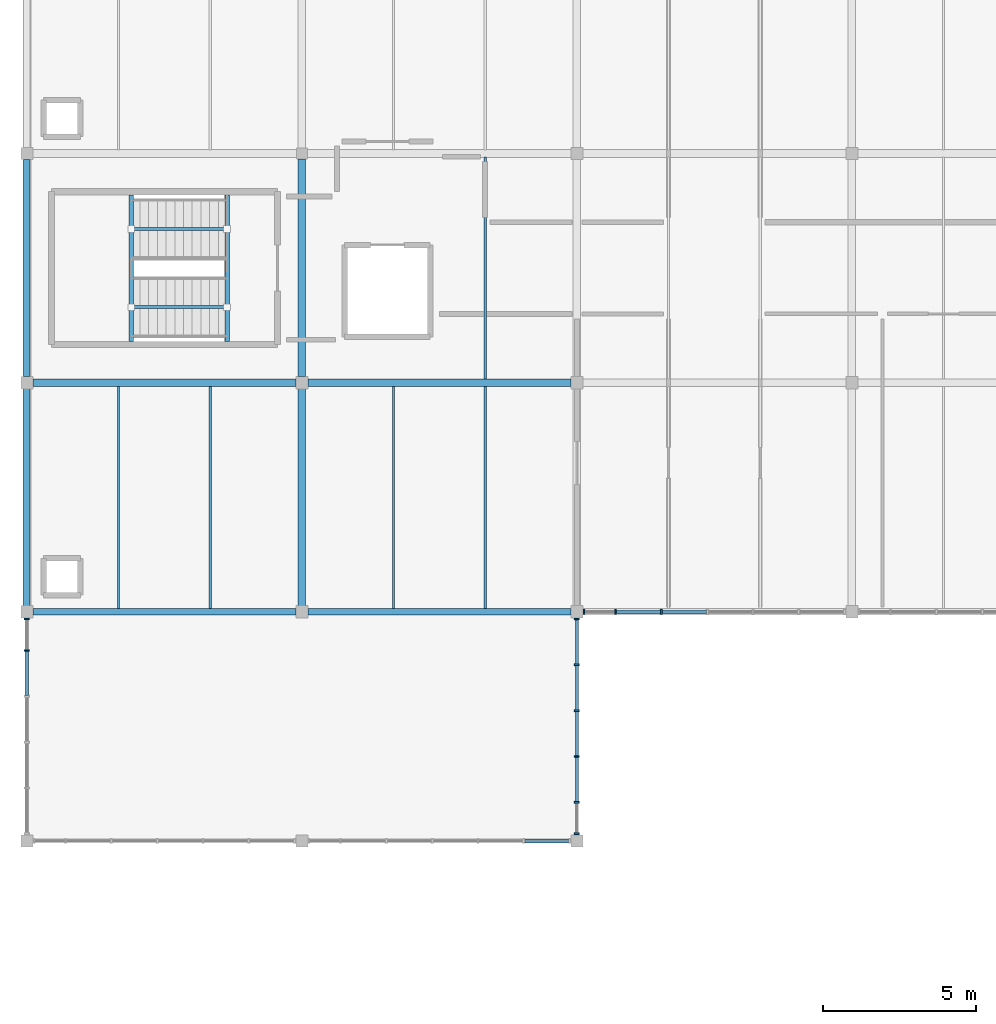
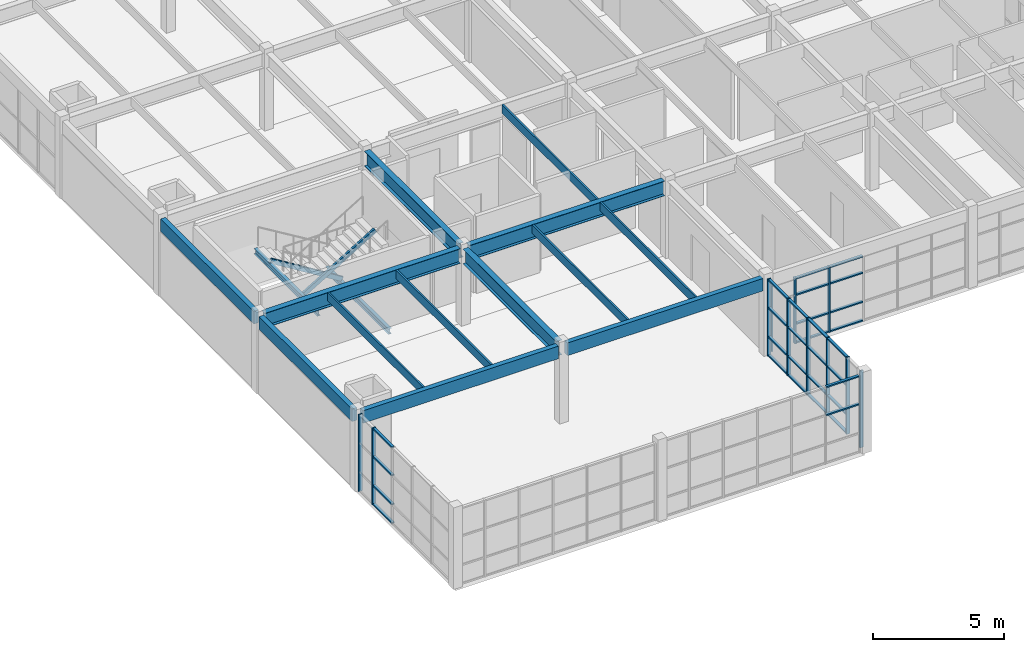
# One storey, part 25 of 81: 43 members, 15 beams, 4 elements without a shape of their own.
"""IFC4 building model written with IfcOpenShell, lengths in metres."""

from ifc_helpers import new_model, si_unit, direction, frame, origin, origin_2d, place, context, subcontext, project, spatial, rectangle, hollow_rectangle, i_section, extrude, material, layer, layer_set, material_profile, profile_set, type_object, element, aggregate, save


model = new_model("IFC4")

# Units and contexts
model_context = context("Model", 3, precision=1e-05, world=origin(), true_north=direction((0.0, 1.0)))
body_context = subcontext(model_context, "Body", "Model", "MODEL_VIEW")
ifc_project = project(units=[si_unit("LENGTHUNIT", "METRE"), si_unit("AREAUNIT", "SQUARE_METRE"), si_unit("VOLUMEUNIT", "CUBIC_METRE"), si_unit("PLANEANGLEUNIT", "RADIAN"), si_unit("MASSUNIT", "GRAM", prefix="KILO")], contexts=[model_context])

# Site, building, storey
site_placement = place(None, origin())
site = spatial("IfcSite", under=ifc_project, at=site_placement, CompositionType="ELEMENT")
building_placement = place(site_placement, origin())
building = spatial("IfcBuilding", under=site, at=building_placement, Name="Marnridge Secondary College", CompositionType="ELEMENT")
storey_placement = place(building_placement, frame((0.0, 0.0, 8.5)))
storey = spatial("IfcBuildingStorey", under=building, at=storey_placement, Name="L02", CompositionType="ELEMENT", Elevation=8.5)

# Beams
ifc_material_1 = material(Name="Glulam timber GL18", Category="wood")
ifc_material_profile_1 = material_profile(ifc_material_1, rectangle(XDim=0.215087890625, YDim=0.5849609375, at=origin_2d()), Name="GL18 215x585")
ifc_profile_set_1 = profile_set([ifc_material_profile_1], Name="Glulam timber GL18")
beam_type_1 = type_object("IfcBeamType", Name="BM-GL585-EXT", PredefinedType="SPANDREL", material=ifc_profile_set_1)
beam_1_placement = place(storey_placement, frame((0.0, 90.194091796875, 3.28759765625), z_axis=(0.0, 1.0, 0.0), x_axis=(-1.0, 0.0, 0.0)))
element("IfcBeam", 1, at=beam_1_placement, inside=storey, type_object=beam_type_1, Name="Beam BS-L02-0859", PredefinedType="SPANDREL", context=body_context, shape_type="SweptSolid", body=[
    extrude(rectangle(XDim=0.215087890625, YDim=0.5849609375, at=origin_2d()), origin(), (0.0, 0.0, 1.0), 7.11181640625),
])
beam_2_placement = place(storey_placement, frame((0.194091796875, 82.5, 3.28759765625), z_axis=(1.0, 0.0, 0.0), x_axis=(0.0, 1.0, 0.0)))
element("IfcBeam", 2, at=beam_2_placement, inside=storey, type_object=beam_type_1, Name="Beam BS-L02-0897", PredefinedType="SPANDREL", context=body_context, shape_type="SweptSolid", body=[
    extrude(rectangle(XDim=0.215087890625, YDim=0.5849609375, at=origin_2d()), origin(), (0.0, 0.0, 1.0), 8.61181640625),
])
beam_3_placement = place(storey_placement, frame((0.0, 82.694091796875, 3.28759765625), z_axis=(0.0, 1.0, 0.0), x_axis=(-1.0, 0.0, 0.0)))
element("IfcBeam", 3, at=beam_3_placement, inside=storey, type_object=beam_type_1, Name="Beam BS-L02-0898", PredefinedType="SPANDREL", context=body_context, shape_type="SweptSolid", body=[
    extrude(rectangle(XDim=0.215087890625, YDim=0.5849609375, at=origin_2d()), origin(), (0.0, 0.0, 1.0), 7.11181640625),
])
beam_4_placement = place(storey_placement, frame((9.194091796875, 82.5, 3.28759765625), z_axis=(1.0, 0.0, 0.0), x_axis=(0.0, 1.0, 0.0)))
element("IfcBeam", 4, at=beam_4_placement, inside=storey, type_object=beam_type_1, Name="Beam BS-L02-0900", PredefinedType="SPANDREL", context=body_context, shape_type="SweptSolid", body=[
    extrude(rectangle(XDim=0.215087890625, YDim=0.5849609375, at=origin_2d()), origin(), (0.0, 0.0, 1.0), 8.61181640625),
])
ifc_material_2 = material(Name="Engineered timber LVL E13.2", Category="wood")
ifc_material_profile_2 = material_profile(ifc_material_2, rectangle(XDim=0.074951171875, YDim=0.39990234375, at=origin_2d()), Name="LVL 75x400")
ifc_profile_set_2 = profile_set([ifc_material_profile_2], Name="Engineered timber LVL E13.2")
beam_type_2 = type_object("IfcBeamType", Name="BM-LVL400-INT", PredefinedType="JOIST", material=ifc_profile_set_2)
beam_5_placement = place(storey_placement, frame((15.0, 90.118896484375, 3.3798828125), z_axis=(0.0, 1.0, 0.0), x_axis=(-1.0, 0.0, 0.0)))
element("IfcBeam", 5, at=beam_5_placement, inside=storey, type_object=beam_type_2, Name="Beam BJ-L02-0912", PredefinedType="JOIST", context=body_context, shape_type="SweptSolid", body=[
    extrude(rectangle(XDim=0.074951171875, YDim=0.39990234375, at=origin_2d()), origin(), (0.0, 0.0, 1.0), 7.26220703125),
])
for number, where, z_axis, x_axis, name in (
    (6, (3.0, 82.6015625, 3.3798828125), (0.0, 1.0, 0.0), (-1.0, 0.0, 0.0), "Beam BJ-L02-0933"),
    (7, (6.0, 82.6015625, 3.3798828125), (0.0, 1.0, 0.0), (-1.0, 0.0, 0.0), "Beam BJ-L02-0934"),
    (8, (12.0, 82.6015625, 3.3798828125), (0.0, 1.0, 0.0), (-1.0, 0.0, 0.0), "Beam BJ-L02-0935"),
    (9, (15.0, 82.6015625, 3.3798828125), (0.0, 1.0, 0.0), (-1.0, 0.0, 0.0), "Beam BJ-L02-0936"),
):
    element("IfcBeam", number, at=place(storey_placement, frame(where, z_axis=z_axis, x_axis=x_axis)), inside=storey, type_object=beam_type_2, Name=name, PredefinedType="JOIST", context=body_context, shape_type="SweptSolid", body=[
        extrude(rectangle(XDim=0.074951171875, YDim=0.39990234375, at=origin_2d()), origin(), (0.0, 0.0, 1.0), 7.279541015625),
    ])
ifc_material_3 = material(Name="Structural steel Grade 350 (AS/NZS 3679.1/.2, fy = 340-360 MPa)", Category="steel")
ifc_material_profile_3 = material_profile(ifc_material_3, i_section(OverallWidth=0.146240234375, OverallDepth=0.256103515625, WebThickness=0.00634765625, FlangeThickness=0.010986328125, FilletRadius=0.0087890625, at=origin_2d()), Name="250UB37.3")
ifc_profile_set_3 = profile_set([ifc_material_profile_3], Name="Structural steel Grade 350 (AS/NZS 3679.1/.2, fy = 340-360 MPa)")
beam_type_3 = type_object("IfcBeamType", Name="BM-UB250-EXT", PredefinedType="LINTEL", material=ifc_profile_set_3)
for number, where, z_axis, x_axis, name in (
    (10, (6.550048828125, 91.342041015625, -0.3681640625), (0.0, 1.0, 0.0), (-1.0, 0.0, 0.0), "Stair landing trimmer beam BT-L02-040"),
    (11, (3.4150390625, 91.342041015625, 1.572021484375), (0.0, 1.0, 0.0), (-1.0, 0.0, 0.0), "Stair landing trimmer beam BT-L02-041"),
):
    element("IfcBeam", number, at=place(storey_placement, frame(where, z_axis=z_axis, x_axis=x_axis)), inside=storey, type_object=beam_type_3, Name=name, PredefinedType="LINTEL", context=body_context, shape_type="SweptSolid", body=[
        extrude(i_section(OverallWidth=0.146240234375, OverallDepth=0.256103515625, WebThickness=0.00634765625, FlangeThickness=0.010986328125, FilletRadius=0.0087890625, at=origin_2d()), origin(), (0.0, 0.0, 1.0), 4.802978515625),
    ])
ifc_material_4 = material(Name="Structural steel Grade 350 (AS/NZS 3679.1/.2, fy = 340-360 MPa)", Category="steel")
ifc_material_profile_4 = material_profile(ifc_material_4, i_section(OverallWidth=0.25, OverallDepth=0.69189453125, WebThickness=0.009033203125, FlangeThickness=0.01611328125, at=origin_2d()), Name="700WB115")
ifc_profile_set_4 = profile_set([ifc_material_profile_4], Name="Structural steel Grade 350 (AS/NZS 3679.1/.2, fy = 340-360 MPa)")
beam_type_4 = type_object("IfcBeamType", Name="BM-WB700-INT", PredefinedType="BEAM", material=ifc_profile_set_4)
beam_6_placement = place(storey_placement, frame((0.194091796875, 90.0, 3.23388671875), z_axis=(1.0, 0.0, 0.0), x_axis=(0.0, 1.0, 0.0)))
element("IfcBeam", 12, at=beam_6_placement, inside=storey, type_object=beam_type_4, Name="Beam B-L02-0857", PredefinedType="BEAM", context=body_context, shape_type="SweptSolid", body=[
    extrude(i_section(OverallWidth=0.25, OverallDepth=0.69189453125, WebThickness=0.009033203125, FlangeThickness=0.01611328125, at=origin_2d()), origin(), (0.0, 0.0, 1.0), 8.61181640625),
])
beam_7_placement = place(storey_placement, frame((9.0, 90.194091796875, 3.23388671875), z_axis=(0.0, 1.0, 0.0), x_axis=(-1.0, 0.0, 0.0)))
element("IfcBeam", 13, at=beam_7_placement, inside=storey, type_object=beam_type_4, Name="Beam B-L02-0860", PredefinedType="BEAM", context=body_context, shape_type="SweptSolid", body=[
    extrude(i_section(OverallWidth=0.25, OverallDepth=0.69189453125, WebThickness=0.009033203125, FlangeThickness=0.01611328125, at=origin_2d()), origin(), (0.0, 0.0, 1.0), 7.1318359375),
])
beam_8_placement = place(storey_placement, frame((9.194091796875, 90.0, 3.23388671875), z_axis=(1.0, 0.0, 0.0), x_axis=(0.0, 1.0, 0.0)))
element("IfcBeam", 14, at=beam_8_placement, inside=storey, type_object=beam_type_4, Name="Beam B-L02-0870", PredefinedType="BEAM", context=body_context, shape_type="SweptSolid", body=[
    extrude(i_section(OverallWidth=0.25, OverallDepth=0.69189453125, WebThickness=0.009033203125, FlangeThickness=0.01611328125, at=origin_2d()), origin(), (0.0, 0.0, 1.0), 8.61181640625),
])
beam_9_placement = place(storey_placement, frame((9.0, 82.694091796875, 3.23388671875), z_axis=(0.0, 1.0, 0.0), x_axis=(-1.0, 0.0, 0.0)))
element("IfcBeam", 15, at=beam_9_placement, inside=storey, type_object=beam_type_4, Name="Beam B-L02-0899", PredefinedType="BEAM", context=body_context, shape_type="SweptSolid", body=[
    extrude(i_section(OverallWidth=0.25, OverallDepth=0.69189453125, WebThickness=0.009033203125, FlangeThickness=0.01611328125, at=origin_2d()), origin(), (0.0, 0.0, 1.0), 7.11181640625),
])

# Curtain wall, members
ifc_material_5 = material(Name="Thermally broken aluminium and low-E glazing", Category="aluminium")
ifc_layer = layer(ifc_material_5, 0.159912109375)
ifc_layer_set = layer_set([ifc_layer], Name="CW-MOD-1500")
curtain_wall_type = type_object("IfcCurtainWallType", Name="CW-MOD-1500", PredefinedType="NOTDEFINED", material=ifc_layer_set)
curtain_wall_1_placement = place(storey_placement, origin())
curtain_wall_1 = element("IfcCurtainWall", 16, at=curtain_wall_1_placement, inside=storey, type_object=curtain_wall_type, Name="Unitised curtain wall CW-L02-093", PredefinedType="NOTDEFINED")
ifc_material_6 = material(Name="Anodised aluminium 6063-T6", Category="aluminium")
ifc_material_profile_5 = material_profile(ifc_material_6, rectangle(XDim=0.06005859375, YDim=0.159912109375, at=origin_2d()), Name="ALU 60x160")
ifc_profile_set_5 = profile_set([ifc_material_profile_5], Name="Anodised aluminium 6063-T6")
member_type_1 = type_object("IfcMemberType", Name="CWM-ALU160", PredefinedType="MULLION", material=ifc_profile_set_5)
member_1_placement = place(storey_placement, frame((20.76611328125, 82.5, 0.0), z_axis=(0.0, 0.0, 1.0), x_axis=(-1.0, 0.0, 0.0)))
member_1 = element("IfcMember", 17, at=member_1_placement, type_object=member_type_1, Name="CW-L02-093 mullion 5", PredefinedType="MULLION", context=body_context, shape_type="SweptSolid", body=[
    extrude(rectangle(XDim=0.06005859375, YDim=0.159912109375, at=origin_2d()), origin(), (0.0, 0.0, 1.0), 3.047119140625),
])
member_2_placement = place(storey_placement, frame((19.26611328125, 82.5, 0.0), z_axis=(0.0, 0.0, 1.0), x_axis=(-1.0, 0.0, 0.0)))
member_2 = element("IfcMember", 18, at=member_2_placement, type_object=member_type_1, Name="CW-L02-093 mullion 6", PredefinedType="MULLION", context=body_context, shape_type="SweptSolid", body=[
    extrude(rectangle(XDim=0.06005859375, YDim=0.159912109375, at=origin_2d()), origin(), (0.0, 0.0, 1.0), 3.047119140625),
])
member_3_placement = place(storey_placement, frame((18.23388671875, 82.5, 0.0), z_axis=(0.0, 0.0, 1.0), x_axis=(-1.0, 0.0, 0.0)))
member_3 = element("IfcMember", 19, at=member_3_placement, type_object=member_type_1, Name="CW-L02-093 mullion 7", PredefinedType="MULLION", context=body_context, shape_type="SweptSolid", body=[
    extrude(rectangle(XDim=0.06005859375, YDim=0.159912109375, at=origin_2d()), origin(), (0.0, 0.0, 1.0), 3.047119140625),
])

curtain_wall_2_placement = place(storey_placement, origin())
curtain_wall_2 = element("IfcCurtainWall", 20, at=curtain_wall_2_placement, inside=storey, type_object=curtain_wall_type, Name="Unitised curtain wall CW-L02-094", PredefinedType="NOTDEFINED")
member_4_placement = place(storey_placement, frame((18.0, 82.26611328125, 0.0), z_axis=(0.0, 0.0, 1.0), x_axis=(0.0, -1.0, 0.0)))
member_4 = element("IfcMember", 21, at=member_4_placement, type_object=member_type_1, Name="CW-L02-094 mullion 1", PredefinedType="MULLION", context=body_context, shape_type="SweptSolid", body=[
    extrude(rectangle(XDim=0.06005859375, YDim=0.159912109375, at=origin_2d()), origin(), (0.0, 0.0, 1.0), 3.580078125),
])
member_5_placement = place(storey_placement, frame((18.0, 80.76611328125, 0.0), z_axis=(0.0, 0.0, 1.0), x_axis=(0.0, -1.0, 0.0)))
member_5 = element("IfcMember", 22, at=member_5_placement, type_object=member_type_1, Name="CW-L02-094 mullion 2", PredefinedType="MULLION", context=body_context, shape_type="SweptSolid", body=[
    extrude(rectangle(XDim=0.06005859375, YDim=0.159912109375, at=origin_2d()), origin(), (0.0, 0.0, 1.0), 3.580078125),
])
member_6_placement = place(storey_placement, frame((18.0, 79.26611328125, 0.0), z_axis=(0.0, 0.0, 1.0), x_axis=(0.0, -1.0, 0.0)))
member_6 = element("IfcMember", 23, at=member_6_placement, type_object=member_type_1, Name="CW-L02-094 mullion 3", PredefinedType="MULLION", context=body_context, shape_type="SweptSolid", body=[
    extrude(rectangle(XDim=0.06005859375, YDim=0.159912109375, at=origin_2d()), origin(), (0.0, 0.0, 1.0), 3.580078125),
])
member_7_placement = place(storey_placement, frame((18.0, 77.76611328125, 0.0), z_axis=(0.0, 0.0, 1.0), x_axis=(0.0, -1.0, 0.0)))
member_7 = element("IfcMember", 24, at=member_7_placement, type_object=member_type_1, Name="CW-L02-094 mullion 4", PredefinedType="MULLION", context=body_context, shape_type="SweptSolid", body=[
    extrude(rectangle(XDim=0.06005859375, YDim=0.159912109375, at=origin_2d()), origin(), (0.0, 0.0, 1.0), 3.580078125),
])
member_8_placement = place(storey_placement, frame((18.0, 76.26611328125, 0.0), z_axis=(0.0, 0.0, 1.0), x_axis=(0.0, -1.0, 0.0)))
member_8 = element("IfcMember", 25, at=member_8_placement, type_object=member_type_1, Name="CW-L02-094 mullion 5", PredefinedType="MULLION", context=body_context, shape_type="SweptSolid", body=[
    extrude(rectangle(XDim=0.06005859375, YDim=0.159912109375, at=origin_2d()), origin(), (0.0, 0.0, 1.0), 3.580078125),
])
member_9_placement = place(storey_placement, frame((18.0, 75.23388671875, 0.0), z_axis=(0.0, 0.0, 1.0), x_axis=(0.0, -1.0, 0.0)))
member_9 = element("IfcMember", 26, at=member_9_placement, type_object=member_type_1, Name="CW-L02-094 mullion 6", PredefinedType="MULLION", context=body_context, shape_type="SweptSolid", body=[
    extrude(rectangle(XDim=0.06005859375, YDim=0.159912109375, at=origin_2d()), origin(), (0.0, 0.0, 1.0), 3.580078125),
])

curtain_wall_3_placement = place(storey_placement, origin())
curtain_wall_3 = element("IfcCurtainWall", 27, at=curtain_wall_3_placement, inside=storey, type_object=curtain_wall_type, Name="Unitised curtain wall CW-L02-097", PredefinedType="NOTDEFINED")
member_10_placement = place(storey_placement, frame((0.0, 81.23388671875, 0.0), z_axis=(0.0, 0.0, 1.0), x_axis=(0.0, 1.0, 0.0)))
member_10 = element("IfcMember", 28, at=member_10_placement, type_object=member_type_1, Name="CW-L02-097 mullion 5", PredefinedType="MULLION", context=body_context, shape_type="SweptSolid", body=[
    extrude(rectangle(XDim=0.06005859375, YDim=0.159912109375, at=origin_2d()), origin(), (0.0, 0.0, 1.0), 3.580078125),
])
member_11_placement = place(storey_placement, frame((0.0, 82.26611328125, 0.0), z_axis=(0.0, 0.0, 1.0), x_axis=(0.0, 1.0, 0.0)))
member_11 = element("IfcMember", 29, at=member_11_placement, type_object=member_type_1, Name="CW-L02-097 mullion 6", PredefinedType="MULLION", context=body_context, shape_type="SweptSolid", body=[
    extrude(rectangle(XDim=0.06005859375, YDim=0.159912109375, at=origin_2d()), origin(), (0.0, 0.0, 1.0), 3.580078125),
])

# Member
ifc_material_7 = material(Name="Anodised aluminium 6063-T6", Category="aluminium")
ifc_material_profile_6 = material_profile(ifc_material_7, rectangle(XDim=0.06005859375, YDim=0.1201171875, at=origin_2d()), Name="ALU 60x120")
ifc_profile_set_6 = profile_set([ifc_material_profile_6], Name="Anodised aluminium 6063-T6")
member_type_2 = type_object("IfcMemberType", Name="CWT-ALU120", PredefinedType="USERDEFINED", material=ifc_profile_set_6)
member_12_placement = place(storey_placement, frame((22.236083984375, 82.5, 0.030029296875), z_axis=(-1.0, 0.0, 0.0), x_axis=(0.0, 0.0, 1.0)))
member_12 = element("IfcMember", 30, at=member_12_placement, type_object=member_type_2, Name="CW-L02-093 transom 4.1", ObjectType="TRANSOM", PredefinedType="USERDEFINED", context=body_context, shape_type="SweptSolid", body=[
    extrude(rectangle(XDim=0.06005859375, YDim=0.1201171875, at=origin_2d()), origin(), (0.0, 0.0, 1.0), 1.440185546875),
])

member_13_placement = place(storey_placement, frame((22.236083984375, 82.5, 0.89990234375), z_axis=(-1.0, 0.0, 0.0), x_axis=(0.0, 0.0, 1.0)))
member_13 = element("IfcMember", 31, at=member_13_placement, type_object=member_type_2, Name="CW-L02-093 transom 4.2", ObjectType="TRANSOM", PredefinedType="USERDEFINED", context=body_context, shape_type="SweptSolid", body=[
    extrude(rectangle(XDim=0.06005859375, YDim=0.1201171875, at=origin_2d()), origin(), (0.0, 0.0, 1.0), 1.440185546875),
])

member_14_placement = place(storey_placement, frame((22.236083984375, 82.5, 2.25), z_axis=(-1.0, 0.0, 0.0), x_axis=(0.0, 0.0, 1.0)))
member_14 = element("IfcMember", 32, at=member_14_placement, type_object=member_type_2, Name="CW-L02-093 transom 4.3", ObjectType="TRANSOM", PredefinedType="USERDEFINED", context=body_context, shape_type="SweptSolid", body=[
    extrude(rectangle(XDim=0.06005859375, YDim=0.1201171875, at=origin_2d()), origin(), (0.0, 0.0, 1.0), 1.440185546875),
])

member_15_placement = place(storey_placement, frame((22.236083984375, 82.5, 3.01708984375), z_axis=(-1.0, 0.0, 0.0), x_axis=(0.0, 0.0, 1.0)))
member_15 = element("IfcMember", 33, at=member_15_placement, type_object=member_type_2, Name="CW-L02-093 transom 4.4", ObjectType="TRANSOM", PredefinedType="USERDEFINED", context=body_context, shape_type="SweptSolid", body=[
    extrude(rectangle(XDim=0.06005859375, YDim=0.1201171875, at=origin_2d()), origin(), (0.0, 0.0, 1.0), 1.440185546875),
])

member_16_placement = place(storey_placement, frame((20.736083984375, 82.5, 0.030029296875), z_axis=(-1.0, 0.0, 0.0), x_axis=(0.0, 0.0, 1.0)))
member_16 = element("IfcMember", 34, at=member_16_placement, type_object=member_type_2, Name="CW-L02-093 transom 5.1", ObjectType="TRANSOM", PredefinedType="USERDEFINED", context=body_context, shape_type="SweptSolid", body=[
    extrude(rectangle(XDim=0.06005859375, YDim=0.1201171875, at=origin_2d()), origin(), (0.0, 0.0, 1.0), 1.440185546875),
])

member_17_placement = place(storey_placement, frame((20.736083984375, 82.5, 0.89990234375), z_axis=(-1.0, 0.0, 0.0), x_axis=(0.0, 0.0, 1.0)))
member_17 = element("IfcMember", 35, at=member_17_placement, type_object=member_type_2, Name="CW-L02-093 transom 5.2", ObjectType="TRANSOM", PredefinedType="USERDEFINED", context=body_context, shape_type="SweptSolid", body=[
    extrude(rectangle(XDim=0.06005859375, YDim=0.1201171875, at=origin_2d()), origin(), (0.0, 0.0, 1.0), 1.440185546875),
])

member_18_placement = place(storey_placement, frame((20.736083984375, 82.5, 2.25), z_axis=(-1.0, 0.0, 0.0), x_axis=(0.0, 0.0, 1.0)))
member_18 = element("IfcMember", 36, at=member_18_placement, type_object=member_type_2, Name="CW-L02-093 transom 5.3", ObjectType="TRANSOM", PredefinedType="USERDEFINED", context=body_context, shape_type="SweptSolid", body=[
    extrude(rectangle(XDim=0.06005859375, YDim=0.1201171875, at=origin_2d()), origin(), (0.0, 0.0, 1.0), 1.440185546875),
])

member_19_placement = place(storey_placement, frame((20.736083984375, 82.5, 3.01708984375), z_axis=(-1.0, 0.0, 0.0), x_axis=(0.0, 0.0, 1.0)))
member_19 = element("IfcMember", 37, at=member_19_placement, type_object=member_type_2, Name="CW-L02-093 transom 5.4", ObjectType="TRANSOM", PredefinedType="USERDEFINED", context=body_context, shape_type="SweptSolid", body=[
    extrude(rectangle(XDim=0.06005859375, YDim=0.1201171875, at=origin_2d()), origin(), (0.0, 0.0, 1.0), 1.440185546875),
])

aggregate(curtain_wall_1, [member_1, member_2, member_3, member_12, member_13, member_14, member_15, member_16, member_17, member_18, member_19])

member_20_placement = place(storey_placement, frame((18.0, 82.236083984375, 0.030029296875), z_axis=(0.0, -1.0, 0.0), x_axis=(0.0, 0.0, 1.0)))
member_20 = element("IfcMember", 38, at=member_20_placement, type_object=member_type_2, Name="CW-L02-094 transom 1.1", ObjectType="TRANSOM", PredefinedType="USERDEFINED", context=body_context, shape_type="SweptSolid", body=[
    extrude(rectangle(XDim=0.06005859375, YDim=0.1201171875, at=origin_2d()), origin(), (0.0, 0.0, 1.0), 1.440185546875),
])

member_21_placement = place(storey_placement, frame((18.0, 82.236083984375, 0.89990234375), z_axis=(0.0, -1.0, 0.0), x_axis=(0.0, 0.0, 1.0)))
member_21 = element("IfcMember", 39, at=member_21_placement, type_object=member_type_2, Name="CW-L02-094 transom 1.2", ObjectType="TRANSOM", PredefinedType="USERDEFINED", context=body_context, shape_type="SweptSolid", body=[
    extrude(rectangle(XDim=0.06005859375, YDim=0.1201171875, at=origin_2d()), origin(), (0.0, 0.0, 1.0), 1.440185546875),
])

member_22_placement = place(storey_placement, frame((18.0, 82.236083984375, 2.25), z_axis=(0.0, -1.0, 0.0), x_axis=(0.0, 0.0, 1.0)))
member_22 = element("IfcMember", 40, at=member_22_placement, type_object=member_type_2, Name="CW-L02-094 transom 1.3", ObjectType="TRANSOM", PredefinedType="USERDEFINED", context=body_context, shape_type="SweptSolid", body=[
    extrude(rectangle(XDim=0.06005859375, YDim=0.1201171875, at=origin_2d()), origin(), (0.0, 0.0, 1.0), 1.440185546875),
])

member_23_placement = place(storey_placement, frame((18.0, 82.236083984375, 3.550048828125), z_axis=(0.0, -1.0, 0.0), x_axis=(0.0, 0.0, 1.0)))
member_23 = element("IfcMember", 41, at=member_23_placement, type_object=member_type_2, Name="CW-L02-094 transom 1.4", ObjectType="TRANSOM", PredefinedType="USERDEFINED", context=body_context, shape_type="SweptSolid", body=[
    extrude(rectangle(XDim=0.06005859375, YDim=0.1201171875, at=origin_2d()), origin(), (0.0, 0.0, 1.0), 1.440185546875),
])

member_24_placement = place(storey_placement, frame((18.0, 80.736083984375, 0.030029296875), z_axis=(0.0, -1.0, 0.0), x_axis=(0.0, 0.0, 1.0)))
member_24 = element("IfcMember", 42, at=member_24_placement, type_object=member_type_2, Name="CW-L02-094 transom 2.1", ObjectType="TRANSOM", PredefinedType="USERDEFINED", context=body_context, shape_type="SweptSolid", body=[
    extrude(rectangle(XDim=0.06005859375, YDim=0.1201171875, at=origin_2d()), origin(), (0.0, 0.0, 1.0), 1.440185546875),
])

member_25_placement = place(storey_placement, frame((18.0, 80.736083984375, 0.89990234375), z_axis=(0.0, -1.0, 0.0), x_axis=(0.0, 0.0, 1.0)))
member_25 = element("IfcMember", 43, at=member_25_placement, type_object=member_type_2, Name="CW-L02-094 transom 2.2", ObjectType="TRANSOM", PredefinedType="USERDEFINED", context=body_context, shape_type="SweptSolid", body=[
    extrude(rectangle(XDim=0.06005859375, YDim=0.1201171875, at=origin_2d()), origin(), (0.0, 0.0, 1.0), 1.440185546875),
])

member_26_placement = place(storey_placement, frame((18.0, 80.736083984375, 2.25), z_axis=(0.0, -1.0, 0.0), x_axis=(0.0, 0.0, 1.0)))
member_26 = element("IfcMember", 44, at=member_26_placement, type_object=member_type_2, Name="CW-L02-094 transom 2.3", ObjectType="TRANSOM", PredefinedType="USERDEFINED", context=body_context, shape_type="SweptSolid", body=[
    extrude(rectangle(XDim=0.06005859375, YDim=0.1201171875, at=origin_2d()), origin(), (0.0, 0.0, 1.0), 1.440185546875),
])

member_27_placement = place(storey_placement, frame((18.0, 80.736083984375, 3.550048828125), z_axis=(0.0, -1.0, 0.0), x_axis=(0.0, 0.0, 1.0)))
member_27 = element("IfcMember", 45, at=member_27_placement, type_object=member_type_2, Name="CW-L02-094 transom 2.4", ObjectType="TRANSOM", PredefinedType="USERDEFINED", context=body_context, shape_type="SweptSolid", body=[
    extrude(rectangle(XDim=0.06005859375, YDim=0.1201171875, at=origin_2d()), origin(), (0.0, 0.0, 1.0), 1.440185546875),
])

member_28_placement = place(storey_placement, frame((18.0, 79.236083984375, 0.030029296875), z_axis=(0.0, -1.0, 0.0), x_axis=(0.0, 0.0, 1.0)))
member_28 = element("IfcMember", 46, at=member_28_placement, type_object=member_type_2, Name="CW-L02-094 transom 3.1", ObjectType="TRANSOM", PredefinedType="USERDEFINED", context=body_context, shape_type="SweptSolid", body=[
    extrude(rectangle(XDim=0.06005859375, YDim=0.1201171875, at=origin_2d()), origin(), (0.0, 0.0, 1.0), 1.440185546875),
])

member_29_placement = place(storey_placement, frame((18.0, 79.236083984375, 0.89990234375), z_axis=(0.0, -1.0, 0.0), x_axis=(0.0, 0.0, 1.0)))
member_29 = element("IfcMember", 47, at=member_29_placement, type_object=member_type_2, Name="CW-L02-094 transom 3.2", ObjectType="TRANSOM", PredefinedType="USERDEFINED", context=body_context, shape_type="SweptSolid", body=[
    extrude(rectangle(XDim=0.06005859375, YDim=0.1201171875, at=origin_2d()), origin(), (0.0, 0.0, 1.0), 1.440185546875),
])

member_30_placement = place(storey_placement, frame((18.0, 79.236083984375, 2.25), z_axis=(0.0, -1.0, 0.0), x_axis=(0.0, 0.0, 1.0)))
member_30 = element("IfcMember", 48, at=member_30_placement, type_object=member_type_2, Name="CW-L02-094 transom 3.3", ObjectType="TRANSOM", PredefinedType="USERDEFINED", context=body_context, shape_type="SweptSolid", body=[
    extrude(rectangle(XDim=0.06005859375, YDim=0.1201171875, at=origin_2d()), origin(), (0.0, 0.0, 1.0), 1.440185546875),
])

member_31_placement = place(storey_placement, frame((18.0, 79.236083984375, 3.550048828125), z_axis=(0.0, -1.0, 0.0), x_axis=(0.0, 0.0, 1.0)))
member_31 = element("IfcMember", 49, at=member_31_placement, type_object=member_type_2, Name="CW-L02-094 transom 3.4", ObjectType="TRANSOM", PredefinedType="USERDEFINED", context=body_context, shape_type="SweptSolid", body=[
    extrude(rectangle(XDim=0.06005859375, YDim=0.1201171875, at=origin_2d()), origin(), (0.0, 0.0, 1.0), 1.440185546875),
])

member_32_placement = place(storey_placement, frame((18.0, 77.736083984375, 0.030029296875), z_axis=(0.0, -1.0, 0.0), x_axis=(0.0, 0.0, 1.0)))
member_32 = element("IfcMember", 50, at=member_32_placement, type_object=member_type_2, Name="CW-L02-094 transom 4.1", ObjectType="TRANSOM", PredefinedType="USERDEFINED", context=body_context, shape_type="SweptSolid", body=[
    extrude(rectangle(XDim=0.06005859375, YDim=0.1201171875, at=origin_2d()), origin(), (0.0, 0.0, 1.0), 1.440185546875),
])

member_33_placement = place(storey_placement, frame((18.0, 77.736083984375, 0.89990234375), z_axis=(0.0, -1.0, 0.0), x_axis=(0.0, 0.0, 1.0)))
member_33 = element("IfcMember", 51, at=member_33_placement, type_object=member_type_2, Name="CW-L02-094 transom 4.2", ObjectType="TRANSOM", PredefinedType="USERDEFINED", context=body_context, shape_type="SweptSolid", body=[
    extrude(rectangle(XDim=0.06005859375, YDim=0.1201171875, at=origin_2d()), origin(), (0.0, 0.0, 1.0), 1.440185546875),
])

member_34_placement = place(storey_placement, frame((18.0, 77.736083984375, 2.25), z_axis=(0.0, -1.0, 0.0), x_axis=(0.0, 0.0, 1.0)))
member_34 = element("IfcMember", 52, at=member_34_placement, type_object=member_type_2, Name="CW-L02-094 transom 4.3", ObjectType="TRANSOM", PredefinedType="USERDEFINED", context=body_context, shape_type="SweptSolid", body=[
    extrude(rectangle(XDim=0.06005859375, YDim=0.1201171875, at=origin_2d()), origin(), (0.0, 0.0, 1.0), 1.440185546875),
])

member_35_placement = place(storey_placement, frame((18.0, 77.736083984375, 3.550048828125), z_axis=(0.0, -1.0, 0.0), x_axis=(0.0, 0.0, 1.0)))
member_35 = element("IfcMember", 53, at=member_35_placement, type_object=member_type_2, Name="CW-L02-094 transom 4.4", ObjectType="TRANSOM", PredefinedType="USERDEFINED", context=body_context, shape_type="SweptSolid", body=[
    extrude(rectangle(XDim=0.06005859375, YDim=0.1201171875, at=origin_2d()), origin(), (0.0, 0.0, 1.0), 1.440185546875),
])

aggregate(curtain_wall_2, [member_4, member_5, member_6, member_7, member_8, member_9, member_20, member_21, member_22, member_23, member_24, member_25, member_26, member_27, member_28, member_29, member_30, member_31, member_32, member_33, member_34, member_35])

# Curtain wall, members
curtain_wall_4_placement = place(storey_placement, origin())
curtain_wall_4 = element("IfcCurtainWall", 54, at=curtain_wall_4_placement, inside=storey, type_object=curtain_wall_type, Name="Unitised curtain wall CW-L02-095", PredefinedType="NOTDEFINED")
member_36_placement = place(storey_placement, frame((17.736083984375, 75.0, 2.25), z_axis=(-1.0, 0.0, 0.0), x_axis=(0.0, 0.0, 1.0)))
member_36 = element("IfcMember", 55, at=member_36_placement, type_object=member_type_2, Name="CW-L02-095 transom 1.3", ObjectType="TRANSOM", PredefinedType="USERDEFINED", context=body_context, shape_type="SweptSolid", body=[
    extrude(rectangle(XDim=0.06005859375, YDim=0.1201171875, at=origin_2d()), origin(), (0.0, 0.0, 1.0), 1.440185546875),
])
member_37_placement = place(storey_placement, frame((17.736083984375, 75.0, 3.550048828125), z_axis=(-1.0, 0.0, 0.0), x_axis=(0.0, 0.0, 1.0)))
member_37 = element("IfcMember", 56, at=member_37_placement, type_object=member_type_2, Name="CW-L02-095 transom 1.4", ObjectType="TRANSOM", PredefinedType="USERDEFINED", context=body_context, shape_type="SweptSolid", body=[
    extrude(rectangle(XDim=0.06005859375, YDim=0.1201171875, at=origin_2d()), origin(), (0.0, 0.0, 1.0), 1.440185546875),
])
aggregate(curtain_wall_4, [member_36, member_37])

# Member
member_38_placement = place(storey_placement, frame((0.0, 79.763916015625, 0.030029296875), z_axis=(0.0, 1.0, 0.0), x_axis=(0.0, 0.0, 1.0)))
member_38 = element("IfcMember", 57, at=member_38_placement, type_object=member_type_2, Name="CW-L02-097 transom 4.1", ObjectType="TRANSOM", PredefinedType="USERDEFINED", context=body_context, shape_type="SweptSolid", body=[
    extrude(rectangle(XDim=0.06005859375, YDim=0.1201171875, at=origin_2d()), origin(), (0.0, 0.0, 1.0), 1.440185546875),
])

member_39_placement = place(storey_placement, frame((0.0, 79.763916015625, 0.89990234375), z_axis=(0.0, 1.0, 0.0), x_axis=(0.0, 0.0, 1.0)))
member_39 = element("IfcMember", 58, at=member_39_placement, type_object=member_type_2, Name="CW-L02-097 transom 4.2", ObjectType="TRANSOM", PredefinedType="USERDEFINED", context=body_context, shape_type="SweptSolid", body=[
    extrude(rectangle(XDim=0.06005859375, YDim=0.1201171875, at=origin_2d()), origin(), (0.0, 0.0, 1.0), 1.440185546875),
])

member_40_placement = place(storey_placement, frame((0.0, 79.763916015625, 2.25), z_axis=(0.0, 1.0, 0.0), x_axis=(0.0, 0.0, 1.0)))
member_40 = element("IfcMember", 59, at=member_40_placement, type_object=member_type_2, Name="CW-L02-097 transom 4.3", ObjectType="TRANSOM", PredefinedType="USERDEFINED", context=body_context, shape_type="SweptSolid", body=[
    extrude(rectangle(XDim=0.06005859375, YDim=0.1201171875, at=origin_2d()), origin(), (0.0, 0.0, 1.0), 1.440185546875),
])

member_41_placement = place(storey_placement, frame((0.0, 79.763916015625, 3.550048828125), z_axis=(0.0, 1.0, 0.0), x_axis=(0.0, 0.0, 1.0)))
member_41 = element("IfcMember", 60, at=member_41_placement, type_object=member_type_2, Name="CW-L02-097 transom 4.4", ObjectType="TRANSOM", PredefinedType="USERDEFINED", context=body_context, shape_type="SweptSolid", body=[
    extrude(rectangle(XDim=0.06005859375, YDim=0.1201171875, at=origin_2d()), origin(), (0.0, 0.0, 1.0), 1.440185546875),
])

aggregate(curtain_wall_3, [member_10, member_11, member_38, member_39, member_40, member_41])

# Members
ifc_material_8 = material(Name="Cold-formed steel Grade C350L0 (AS/NZS 1163, fy = 350 MPa)", Category="steel")
ifc_material_profile_7 = material_profile(ifc_material_8, hollow_rectangle(XDim=0.10009765625, YDim=0.199951171875, WallThickness=0.006103515625, at=origin_2d()), Name="200x100x6.0RHS")
ifc_profile_set_7 = profile_set([ifc_material_profile_7], Name="Cold-formed steel Grade C350L0 (AS/NZS 1163, fy = 350 MPa)")
member_type_3 = type_object("IfcMemberType", Name="MB-STR-RHS200", PredefinedType="STRINGER", material=ifc_profile_set_7)
member_42_placement = place(storey_placement, frame((6.550048828125, 95.030029296875, -0.14794921875), z_axis=(-0.850359689631, 0.0, 0.526201860744), x_axis=(0.0, -1.0, 0.0)))
element("IfcMember", 61, at=member_42_placement, inside=storey, type_object=member_type_3, Name="Stair stringer STR-041", PredefinedType="STRINGER", context=body_context, shape_type="SweptSolid", body=[
    extrude(hollow_rectangle(XDim=0.10009765625, YDim=0.199951171875, WallThickness=0.006103515625, at=origin_2d()), origin(), (0.0, 0.0, 1.0), 3.686767578125),
])
member_43_placement = place(storey_placement, frame((3.4150390625, 92.469970703125, 1.7919921875), z_axis=(0.857598979365, 0.0, 0.514318958032), x_axis=(0.0, 1.0, 0.0)))
element("IfcMember", 62, at=member_43_placement, inside=storey, type_object=member_type_3, Name="Stair stringer STR-042", PredefinedType="STRINGER", context=body_context, shape_type="SweptSolid", body=[
    extrude(hollow_rectangle(XDim=0.10009765625, YDim=0.199951171875, WallThickness=0.006103515625, at=origin_2d()), origin(), (0.0, 0.0, 1.0), 3.655517578125),
])

save(model, "model.ifc")
